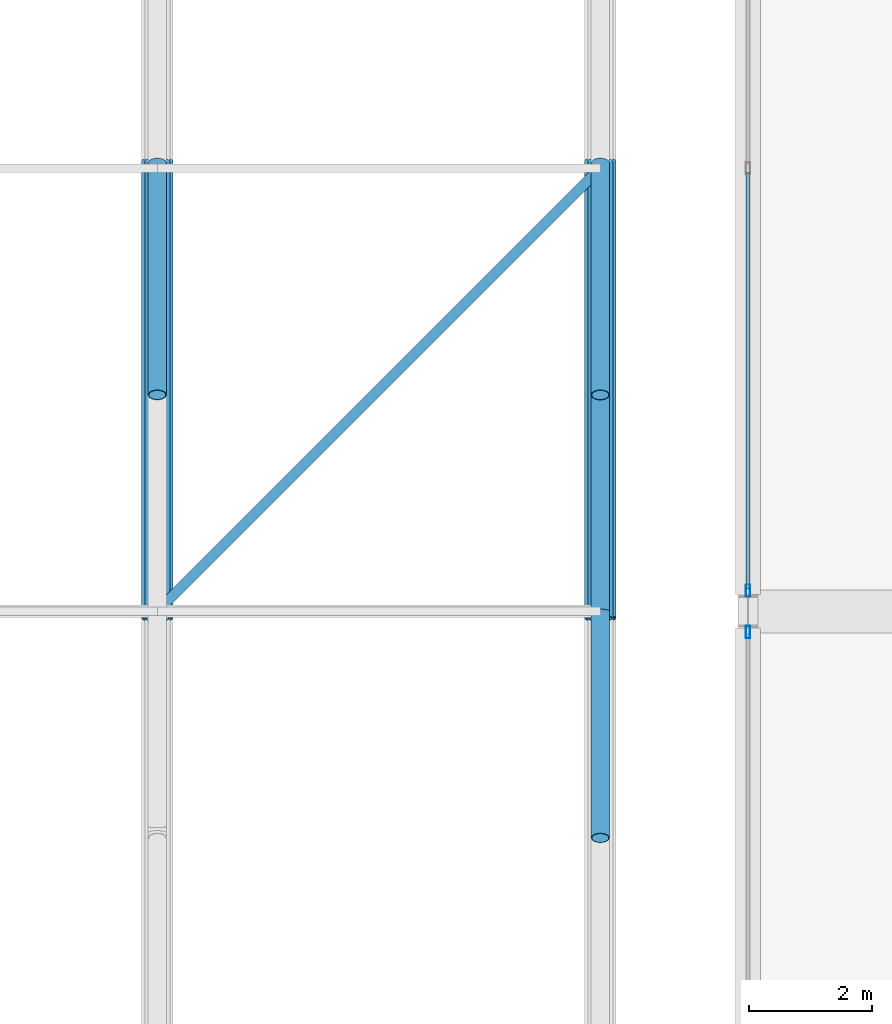
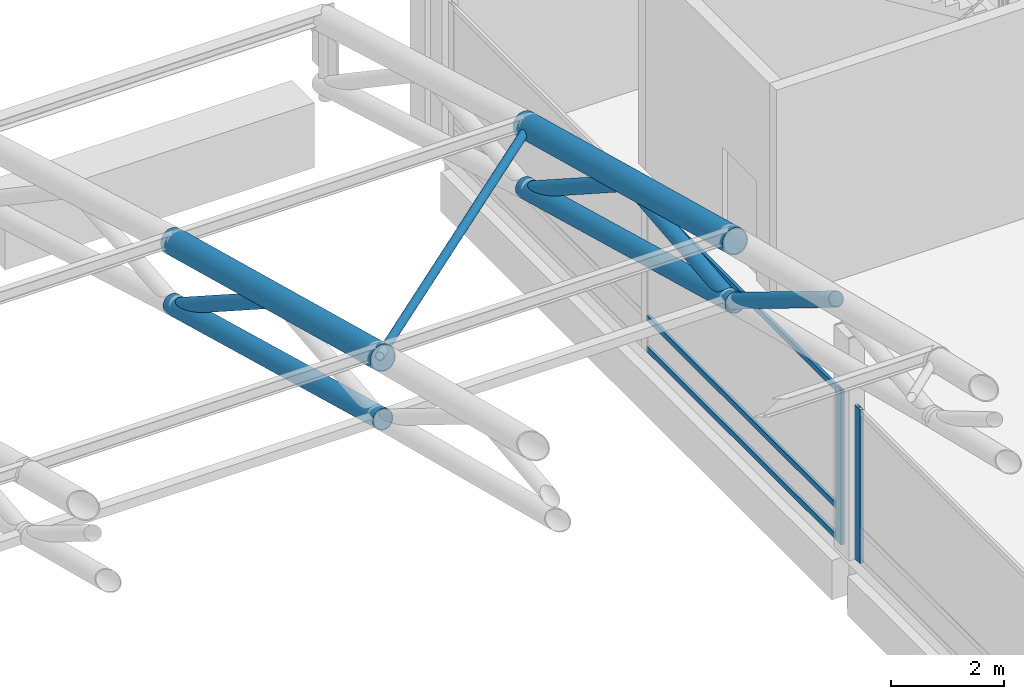
# One storey, part 58 of 193: 14 members, 2 elements without a shape of their own.
"""IFC4 building model written with IfcOpenShell, lengths in metres."""

from ifc_helpers import new_model, si_unit, direction, frame, origin, origin_2d, place, context, subcontext, project, spatial, hollow_rectangle, hollow_circle, extrude, material, material_profile, profile_set, type_object, element, aggregate, save


model = new_model("IFC4")

# Units and contexts
model_context = context("Model", 3, precision=1e-05, world=origin(), true_north=direction((0.0, 1.0)))
body_context = subcontext(model_context, "Body", "Model", "MODEL_VIEW")
ifc_project = project(units=[si_unit("LENGTHUNIT", "METRE"), si_unit("AREAUNIT", "SQUARE_METRE"), si_unit("VOLUMEUNIT", "CUBIC_METRE"), si_unit("PLANEANGLEUNIT", "RADIAN"), si_unit("MASSUNIT", "GRAM", prefix="KILO")], contexts=[model_context])

# Site, building, storey
site_placement = place(None, origin())
site = spatial("IfcSite", under=ifc_project, at=site_placement, CompositionType="ELEMENT")
building_placement = place(site_placement, origin())
building = spatial("IfcBuilding", under=site, at=building_placement, Name="Cendralis Lancet Convention Centre", CompositionType="ELEMENT")
storey_placement = place(building_placement, frame((0.0, 0.0, 10.199951171875)))
storey = spatial("IfcBuildingStorey", under=building, at=storey_placement, Name="L02", CompositionType="ELEMENT", Elevation=10.199951171875)

# Curtain wall, member
ifc_material_1 = material(Name="Anodised bronze architectural aluminium", Category="aluminium")
curtain_wall_type = type_object("IfcCurtainWallType", Name="ARC-CW-BL01", PredefinedType="USERDEFINED", material=ifc_material_1)
curtain_wall_1_placement = place(storey_placement, origin())
curtain_wall_1 = element("IfcCurtainWall", 1, at=curtain_wall_1_placement, inside=storey, type_object=curtain_wall_type, Name="L02 Curtain Wall CW-BL1 #158", ObjectType="CURTAIN WALL", PredefinedType="USERDEFINED")
ifc_material_profile_1 = material_profile(ifc_material_1, hollow_rectangle(XDim=0.070068359375, YDim=0.199951171875, WallThickness=0.0048828125, at=origin_2d()), Name="AL-MULL 70x200x5.0")
ifc_profile_set_1 = profile_set([ifc_material_profile_1], Name="Anodised bronze architectural aluminium")
member_type_1 = type_object("IfcMemberType", Name="ARC-CW-ML02", PredefinedType="MULLION", material=ifc_profile_set_1)
member_1_placement = place(storey_placement, frame((124.800048828125, 122.06494140625, 0.0), z_axis=(0.0, 0.0, 1.0), x_axis=(1.0, 0.0, 0.0)))
member_1 = element("IfcMember", 2, at=member_1_placement, type_object=member_type_1, Name="Mullion CW2-CW-BL1-L02-158-M2", PredefinedType="MULLION", context=body_context, shape_type="SweptSolid", body=[
    extrude(hollow_rectangle(XDim=0.070068359375, YDim=0.199951171875, WallThickness=0.0048828125, at=origin_2d()), origin(), (0.0, 0.0, 1.0), 3.324951171875),
])
aggregate(curtain_wall_1, [member_1])

# Curtain wall, members
curtain_wall_2_placement = place(storey_placement, origin())
curtain_wall_2 = element("IfcCurtainWall", 3, at=curtain_wall_2_placement, inside=storey, type_object=curtain_wall_type, Name="L02 Curtain Wall CW-BL1 #159", ObjectType="CURTAIN WALL", PredefinedType="USERDEFINED")
member_2_placement = place(storey_placement, frame((124.800048828125, 122.735107421875, 0.0), z_axis=(0.0, 0.0, 1.0), x_axis=(1.0, 0.0, 0.0)))
member_2 = element("IfcMember", 4, at=member_2_placement, type_object=member_type_1, Name="Mullion CW2-CW-BL1-L02-159-M0", PredefinedType="MULLION", context=body_context, shape_type="SweptSolid", body=[
    extrude(hollow_rectangle(XDim=0.070068359375, YDim=0.199951171875, WallThickness=0.0048828125, at=origin_2d()), origin(), (0.0, 0.0, 1.0), 3.324951171875),
])
ifc_material_profile_2 = material_profile(ifc_material_1, hollow_rectangle(XDim=0.06005859375, YDim=0.1201171875, WallThickness=0.00390625, at=origin_2d()), Name="AL-TRAN 60x120x4.0")
ifc_profile_set_2 = profile_set([ifc_material_profile_2], Name="Anodised bronze architectural aluminium")
member_type_2 = type_object("IfcMemberType", Name="ARC-CW-TR01", PredefinedType="USERDEFINED", material=ifc_profile_set_2)
member_3_placement = place(storey_placement, frame((124.800048828125, 122.77001953125, 0.06005859375), z_axis=(0.0, 1.0, 0.0), x_axis=(-1.0, 0.0, 0.0)))
member_3 = element("IfcMember", 5, at=member_3_placement, type_object=member_type_2, Name="Transom CW2-CW-BL1-L02-159-T0BOT", ObjectType="TRANSOM", PredefinedType="USERDEFINED", context=body_context, shape_type="SweptSolid", body=[
    extrude(hollow_rectangle(XDim=0.06005859375, YDim=0.1201171875, WallThickness=0.00390625, at=origin_2d()), origin(), (0.0, 0.0, 1.0), 6.760009765625),
])
member_4_placement = place(storey_placement, frame((124.800048828125, 122.77001953125, 0.7314453125), z_axis=(0.0, 1.0, 0.0), x_axis=(-1.0, 0.0, 0.0)))
member_4 = element("IfcMember", 6, at=member_4_placement, type_object=member_type_2, Name="Transom CW2-CW-BL1-L02-159-T0MID", ObjectType="TRANSOM", PredefinedType="USERDEFINED", context=body_context, shape_type="SweptSolid", body=[
    extrude(hollow_rectangle(XDim=0.06005859375, YDim=0.1201171875, WallThickness=0.00390625, at=origin_2d()), origin(), (0.0, 0.0, 1.0), 6.760009765625),
])
member_5_placement = place(storey_placement, frame((124.800048828125, 122.77001953125, 3.26513671875), z_axis=(0.0, 1.0, 0.0), x_axis=(-1.0, 0.0, 0.0)))
member_5 = element("IfcMember", 7, at=member_5_placement, type_object=member_type_2, Name="Transom CW2-CW-BL1-L02-159-T0TOP", ObjectType="TRANSOM", PredefinedType="USERDEFINED", context=body_context, shape_type="SweptSolid", body=[
    extrude(hollow_rectangle(XDim=0.06005859375, YDim=0.1201171875, WallThickness=0.00390625, at=origin_2d()), origin(), (0.0, 0.0, 1.0), 6.760009765625),
])
aggregate(curtain_wall_2, [member_2, member_3, member_4, member_5])

# Members
ifc_material_2 = material(Name="Steel S355", Category="steel")
ifc_material_profile_3 = material_profile(ifc_material_2, hollow_circle(Radius=0.084228515625, WallThickness=0.008056640625, at=origin_2d()), Name="CHS 168.3x8.0")
ifc_profile_set_3 = profile_set([ifc_material_profile_3], Name="Steel S355")
member_type_3 = type_object("IfcMemberType", Name="STR-BR-RB01", PredefinedType="BRACE", material=ifc_profile_set_3)
member_6_placement = place(storey_placement, frame((115.199951171875, 122.39990234375, 7.576416015625), z_axis=(0.694854047824, 0.694877609387, -0.185264568107), x_axis=(-0.7071187694, 0.70709479277, 0.0)))
element("IfcMember", 8, at=member_6_placement, inside=storey, type_object=member_type_3, Name="Roof Diaphragm Brace RB01 V1-13-10A", PredefinedType="BRACE", context=body_context, shape_type="SweptSolid", body=[
    extrude(hollow_circle(Radius=0.084228515625, WallThickness=0.008056640625, at=origin_2d()), origin(), (0.0, 0.0, 1.0), 10.36181640625),
])
ifc_material_profile_4 = material_profile(ifc_material_2, hollow_circle(Radius=0.203125, WallThickness=0.01611328125, at=origin_2d()), Name="CHS 406.4x16.0")
ifc_profile_set_4 = profile_set([ifc_material_profile_4], Name="Steel S355")
member_type_4 = type_object("IfcMemberType", Name="STR-TR-BC01", PredefinedType="CHORD", material=ifc_profile_set_4)
member_7_placement = place(storey_placement, frame((122.39990234375, 122.2841796875, 6.282470703125), z_axis=(0.0, 0.964987331955, -0.262296490953), x_axis=(-1.0, 0.0, 0.0)))
element("IfcMember", 9, at=member_7_placement, inside=storey, type_object=member_type_4, Name="ROOF TRUSS AT-V1-15 Bottom Chord 10", PredefinedType="CHORD", context=body_context, shape_type="SweptSolid", body=[
    extrude(hollow_circle(Radius=0.203125, WallThickness=0.01611328125, at=origin_2d()), origin(), (0.0, 0.0, 1.0), 7.701171875),
])
ifc_material_profile_5 = material_profile(ifc_material_2, hollow_circle(Radius=0.203125, WallThickness=0.01611328125, at=origin_2d()), Name="CHS 406.4x16.0")
ifc_profile_set_5 = profile_set([ifc_material_profile_5], Name="Steel S355")
member_type_5 = type_object("IfcMemberType", Name="STR-TR-BC01-INT", PredefinedType="CHORD", material=ifc_profile_set_5)
member_8_placement = place(storey_placement, frame((115.199951171875, 122.2841796875, 6.282470703125), z_axis=(0.0, 0.964987331955, -0.262296490953), x_axis=(-1.0, 0.0, 0.0)))
element("IfcMember", 10, at=member_8_placement, inside=storey, type_object=member_type_5, Name="ROOF TRUSS AT-V1-14 Bottom Chord 10", PredefinedType="CHORD", context=body_context, shape_type="SweptSolid", body=[
    extrude(hollow_circle(Radius=0.203125, WallThickness=0.01611328125, at=origin_2d()), origin(), (0.0, 0.0, 1.0), 7.701171875),
])
ifc_material_profile_6 = material_profile(ifc_material_2, hollow_circle(Radius=0.25390625, WallThickness=0.02001953125, at=origin_2d()), Name="CHS 508.0x20.0")
ifc_profile_set_6 = profile_set([ifc_material_profile_6], Name="Steel S355")
member_type_6 = type_object("IfcMemberType", Name="STR-TR-TC01", PredefinedType="CHORD", material=ifc_profile_set_6)
member_9_placement = place(storey_placement, frame((122.39990234375, 122.2841796875, 7.607177734375), z_axis=(0.0, 0.966245475764, -0.257623136705), x_axis=(-1.0, 0.0, 0.0)))
element("IfcMember", 11, at=member_9_placement, inside=storey, type_object=member_type_6, Name="ROOF TRUSS AT-V1-15 Top Chord 10", PredefinedType="CHORD", context=body_context, shape_type="SweptSolid", body=[
    extrude(hollow_circle(Radius=0.25390625, WallThickness=0.02001953125, at=origin_2d()), origin(), (0.0, 0.0, 1.0), 7.691162109375),
])
ifc_material_profile_7 = material_profile(ifc_material_2, hollow_circle(Radius=0.25390625, WallThickness=0.02001953125, at=origin_2d()), Name="CHS 508.0x20.0")
ifc_profile_set_7 = profile_set([ifc_material_profile_7], Name="Steel S355")
member_type_7 = type_object("IfcMemberType", Name="STR-TR-TC01-INT", PredefinedType="CHORD", material=ifc_profile_set_7)
member_10_placement = place(storey_placement, frame((115.199951171875, 122.2841796875, 7.607177734375), z_axis=(0.0, 0.966245475764, -0.257623136705), x_axis=(-1.0, 0.0, 0.0)))
element("IfcMember", 12, at=member_10_placement, inside=storey, type_object=member_type_7, Name="ROOF TRUSS AT-V1-14 Top Chord 10", PredefinedType="CHORD", context=body_context, shape_type="SweptSolid", body=[
    extrude(hollow_circle(Radius=0.25390625, WallThickness=0.02001953125, at=origin_2d()), origin(), (0.0, 0.0, 1.0), 7.691162109375),
])
ifc_material_profile_8 = material_profile(ifc_material_2, hollow_circle(Radius=0.149169921875, WallThickness=0.012451171875, at=origin_2d()), Name="CHS 298.5x12.5")
ifc_profile_set_8 = profile_set([ifc_material_profile_8], Name="Steel S355")
member_type_8 = type_object("IfcMemberType", Name="STR-TR-WD01", PredefinedType="BRACE", material=ifc_profile_set_8)
member_11_placement = place(storey_placement, frame((122.39990234375, 118.71484375, 8.525390625), z_axis=(0.0, 0.850978373815, -0.525200730482), x_axis=(-1.0, 0.0, 0.0)))
element("IfcMember", 13, at=member_11_placement, inside=storey, type_object=member_type_8, Name="ROOF TRUSS AT-V1-15 Warren Web 09-1", PredefinedType="BRACE", context=body_context, shape_type="SweptSolid", body=[
    extrude(hollow_circle(Radius=0.149169921875, WallThickness=0.012451171875, at=origin_2d()), origin(), (0.0, 0.0, 1.0), 4.430419921875),
])
member_12_placement = place(storey_placement, frame((122.39990234375, 122.300537109375, 6.240966796875), z_axis=(0.0, 0.994884749511, 0.101016509493), x_axis=(-1.0, 0.0, 0.0)))
element("IfcMember", 14, at=member_12_placement, inside=storey, type_object=member_type_8, Name="ROOF TRUSS AT-V1-15 Warren Web 10-0", PredefinedType="BRACE", context=body_context, shape_type="SweptSolid", body=[
    extrude(hollow_circle(Radius=0.149169921875, WallThickness=0.012451171875, at=origin_2d()), origin(), (0.0, 0.0, 1.0), 3.818603515625),
])
member_13_placement = place(storey_placement, frame((122.39990234375, 125.916015625, 6.670654296875), z_axis=(0.0, 0.840307049061, -0.542110748186), x_axis=(-1.0, 0.0, 0.0)))
element("IfcMember", 15, at=member_13_placement, inside=storey, type_object=member_type_8, Name="ROOF TRUSS AT-V1-15 Warren Web 10-1", PredefinedType="BRACE", context=body_context, shape_type="SweptSolid", body=[
    extrude(hollow_circle(Radius=0.149169921875, WallThickness=0.012451171875, at=origin_2d()), origin(), (0.0, 0.0, 1.0), 4.484130859375),
])
ifc_material_profile_9 = material_profile(ifc_material_2, hollow_circle(Radius=0.149169921875, WallThickness=0.012451171875, at=origin_2d()), Name="CHS 298.5x12.5")
ifc_profile_set_9 = profile_set([ifc_material_profile_9], Name="Steel S355")
member_type_9 = type_object("IfcMemberType", Name="STR-TR-WD01-INT", PredefinedType="BRACE", material=ifc_profile_set_9)
member_14_placement = place(storey_placement, frame((115.199951171875, 125.916015625, 6.670654296875), z_axis=(0.0, 0.840307049061, -0.542110748186), x_axis=(-1.0, 0.0, 0.0)))
element("IfcMember", 16, at=member_14_placement, inside=storey, type_object=member_type_9, Name="ROOF TRUSS AT-V1-14 Warren Web 10-1", PredefinedType="BRACE", context=body_context, shape_type="SweptSolid", body=[
    extrude(hollow_circle(Radius=0.149169921875, WallThickness=0.012451171875, at=origin_2d()), origin(), (0.0, 0.0, 1.0), 4.484130859375),
])

save(model, "model.ifc")
